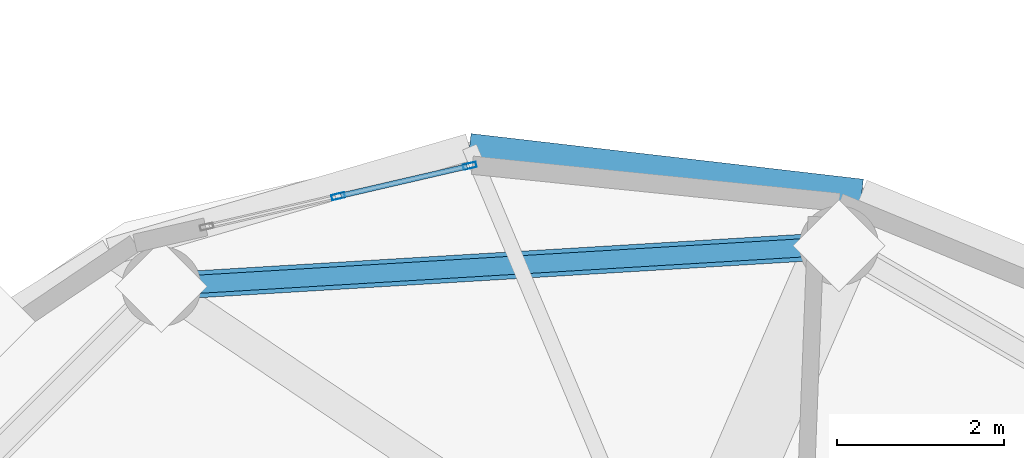
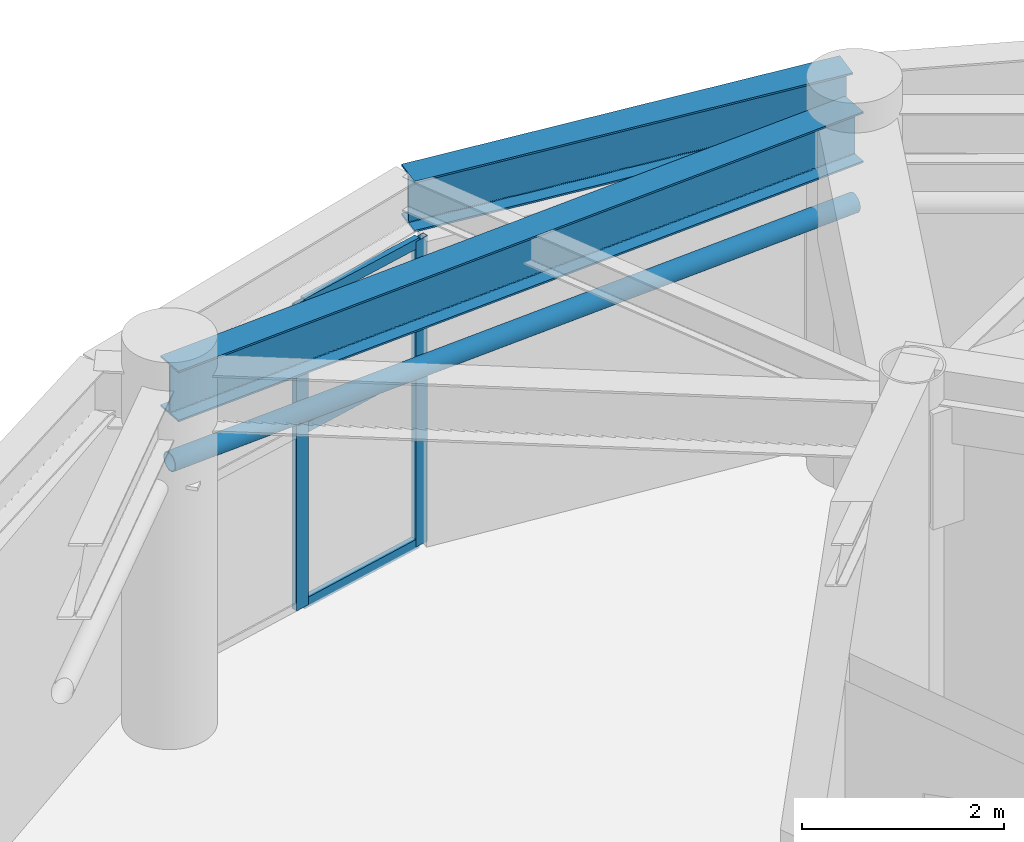
# One storey, part 17 of 28: 6 members, 2 beams, 1 element without a shape of its own.
"""IFC4 building model written with IfcOpenShell, lengths in metres."""

import ifcopenshell
import ifcopenshell.guid

model = None  # the IFC model being written
_history = None  # IfcOwnerHistory: only IFC2X3 demands one
_inside = {}  # id of a spatial element -> (the spatial element, [elements in it])
_under = {}  # id of a project, library or spatial element -> (it, [spatial elements below it])
_declared = {}  # id of a project -> (the project, [libraries it declares])
_typed = {}  # id of a type object -> (the type object, [elements of that type])
_made_of = {}  # id of a material, layer set ... -> (it, [elements and type objects made of it])


def new_model(schema):
    """Start an empty IFC model of exactly this schema.

    Asked for "IFC4X3", IfcOpenShell would pick the latest addendum, in which some entities
    have other attributes; the version numbers below select the first issue.
    IFC2X3 requires an IfcOwnerHistory on every rooted entity: one is made here for all.
    """
    global model, _history
    if schema == "IFC4X3":
        model = ifcopenshell.file(schema_version=(4, 3, 0, 0))
    else:
        model = ifcopenshell.file(schema=schema)
    _inside.clear()
    _under.clear()
    _declared.clear()
    _typed.clear()
    _made_of.clear()
    _history = None
    if model.schema == "IFC2X3":
        org = make("IfcOrganization", Name="unknown")
        user = make(
            "IfcPersonAndOrganization",
            ThePerson=make("IfcPerson", FamilyName="unknown"),
            TheOrganization=org,
        )
        app = make(
            "IfcApplication",
            ApplicationDeveloper=org,
            Version="unknown",
            ApplicationFullName="unknown",
            ApplicationIdentifier="unknown",
        )
        _history = make(
            "IfcOwnerHistory",
            OwningUser=user,
            OwningApplication=app,
            ChangeAction="ADDED",
            CreationDate=0,
        )
    return model


def make(cls, **values):
    """One entity of the class cls with the attributes given. An attribute that is None is left unset."""
    return model.create_entity(
        cls, **{name: value for name, value in values.items() if value is not None}
    )


def rooted(cls, **values):
    """An entity with a GlobalId (a new one), such as an element, a storey or a relation."""
    return make(cls, GlobalId=ifcopenshell.guid.new(), OwnerHistory=_history, **values)


def si_unit(unit_type, name, prefix=None):
    """IfcSIUnit, for example si_unit("LENGTHUNIT", "METRE", prefix="MILLI")."""
    return make("IfcSIUnit", UnitType=unit_type, Prefix=prefix, Name=name)


def assignment(units):
    """IfcUnitAssignment: the units of a project."""
    return None if units is None else make("IfcUnitAssignment", Units=units)


def point(xyz):
    """IfcCartesianPoint."""
    return None if xyz is None else make("IfcCartesianPoint", Coordinates=xyz)


def direction(xyz):
    """IfcDirection."""
    return None if xyz is None else make("IfcDirection", DirectionRatios=xyz)


def frame(location, z_axis=None, x_axis=None):
    """IfcAxis2Placement3D, a coordinate frame: its origin and axes. An axis left out is left unset."""
    return make(
        "IfcAxis2Placement3D",
        Location=point(location),
        Axis=direction(z_axis),
        RefDirection=direction(x_axis),
    )


def frame_2d(location, x_axis=None):
    """IfcAxis2Placement2D, a coordinate frame in the plane: its origin and x axis."""
    return make(
        "IfcAxis2Placement2D", Location=point(location), RefDirection=direction(x_axis)
    )


def origin():
    """The frame at (0, 0, 0) with its axes left unset."""
    return frame((0.0, 0.0, 0.0))


def origin_2d():
    """The frame at (0, 0) in the plane with its x axis left unset."""
    return frame_2d((0.0, 0.0))


def place(relative_to, where):
    """IfcLocalPlacement: puts the frame where relative to a parent placement (None: the world)."""
    return make(
        "IfcLocalPlacement", PlacementRelTo=relative_to, RelativePlacement=where
    )


def context(
    kind, dimensions, precision=None, world=None, true_north=None, identifier=None
):
    """IfcGeometricRepresentationContext, for example the 3D "Model" context."""
    return make(
        "IfcGeometricRepresentationContext",
        ContextIdentifier=identifier,
        ContextType=kind,
        CoordinateSpaceDimension=dimensions,
        Precision=precision,
        WorldCoordinateSystem=world,
        TrueNorth=true_north,
    )


def subcontext(parent, identifier, kind, view, scale=None):
    """IfcGeometricRepresentationSubContext, for example "Body" below "Model"."""
    return make(
        "IfcGeometricRepresentationSubContext",
        ContextIdentifier=identifier,
        ContextType=kind,
        ParentContext=parent,
        TargetScale=scale,
        TargetView=view,
    )


def project(units=None, contexts=None):
    """IfcProject with its units and contexts."""
    return rooted(
        "IfcProject",
        Name="project",
        RepresentationContexts=contexts,
        UnitsInContext=assignment(units),
    )


def spatial(cls, under=None, at=None, **own):
    """A site, building, storey or space (cls), placed at a placement, below another one or the project."""
    s = rooted(cls, ObjectPlacement=at, **own)
    if under is not None:
        _under.setdefault(under.id(), (under, []))[1].append(s)
    return s


def profile(cls, at=None, kind="AREA", **sizes):
    """A parametric profile (cls). Its sizes go by their IFC names, for example OverallWidth=200.0."""
    return make(cls, ProfileType=kind, Position=at, **sizes)


def hollow_rectangle(**sizes):
    """IfcRectangleHollowProfileDef."""
    return profile("IfcRectangleHollowProfileDef", **sizes)


def hollow_circle(**sizes):
    """IfcCircleHollowProfileDef."""
    return profile("IfcCircleHollowProfileDef", **sizes)


def i_section(**sizes):
    """IfcIShapeProfileDef."""
    return profile("IfcIShapeProfileDef", **sizes)


def extrude(swept, where, along, depth):
    """IfcExtrudedAreaSolid: the profile swept, set in the frame where, extruded along a direction by depth."""
    return make(
        "IfcExtrudedAreaSolid",
        SweptArea=swept,
        Position=where,
        ExtrudedDirection=direction(along),
        Depth=depth,
    )


def shape(context_of_items, identifier, shape_type, items):
    """IfcShapeRepresentation: the items that make up one representation, for example the "Body"."""
    return make(
        "IfcShapeRepresentation",
        ContextOfItems=context_of_items,
        RepresentationIdentifier=identifier,
        RepresentationType=shape_type,
        Items=items,
    )


def material(Name=None, Category=None):
    """IfcMaterial."""
    return make("IfcMaterial", Name=Name, Category=Category)


def layer(
    of_material, thickness, ventilated=None, Name=None, Category=None, Priority=None
):
    """IfcMaterialLayer: one layer of a wall or slab, of a material (None: an air gap)."""
    return make(
        "IfcMaterialLayer",
        Material=of_material,
        LayerThickness=thickness,
        IsVentilated=ventilated,
        Name=Name,
        Category=Category,
        Priority=Priority,
    )


def layer_set(layers, Name=None):
    """IfcMaterialLayerSet."""
    return make("IfcMaterialLayerSet", MaterialLayers=layers, LayerSetName=Name)


def material_profile(
    of_material, cross_section, Name=None, Category=None, Priority=None
):
    """IfcMaterialProfile: a cross section and its material."""
    return make(
        "IfcMaterialProfile",
        Name=Name,
        Material=of_material,
        Profile=cross_section,
        Priority=Priority,
        Category=Category,
    )


def profile_set(profiles, Name=None, composite=None):
    """IfcMaterialProfileSet."""
    return make(
        "IfcMaterialProfileSet",
        Name=Name,
        MaterialProfiles=profiles,
        CompositeProfile=composite,
    )


def made_of(thing, what):
    """Note that an element or type object is made of a material, layer set ...; save() writes the relation."""
    if what is not None:
        _made_of.setdefault(what.id(), (what, []))[1].append(thing)
    return thing


def type_object(cls, material=None, **own):
    """A type object (cls), such as IfcWallType, which elements share."""
    return made_of(rooted(cls, **own), material)


def element(
    cls,
    number,
    at=None,
    inside=None,
    cuts=None,
    type_object=None,
    material=None,
    context=None,
    identifier="Body",
    shape_type=None,
    held_by="IfcProductDefinitionShape",
    body=None,
    shapes=None,
    **own,
):
    """One element of the class cls, such as IfcWall. Its Tag is "e" and its number.

    at: its placement. inside: the storey or other place that contains it. cuts: it is an
    opening in that element (IfcRelVoidsElement). A single representation is given by context,
    identifier, shape_type and body (its items); several are given by shapes. held_by: the class
    of the entity that holds the representations. save() writes the other relations.
    """
    e = rooted(cls, Tag="e%d" % number, ObjectPlacement=at, **own)
    if body is not None:
        shapes = [shape(context, identifier, shape_type, body)]
    if shapes is not None:
        e.Representation = make(held_by, Representations=shapes)
    if inside is not None:
        _inside.setdefault(inside.id(), (inside, []))[1].append(e)
    if cuts is not None:
        rooted(
            "IfcRelVoidsElement", RelatingBuildingElement=cuts, RelatedOpeningElement=e
        )
    if type_object is not None:
        _typed.setdefault(type_object.id(), (type_object, []))[1].append(e)
    return made_of(e, material)


def aggregate(whole, parts):
    """IfcRelAggregates: a whole, such as a stair, and the parts it consists of."""
    return rooted("IfcRelAggregates", RelatingObject=whole, RelatedObjects=parts)


def save(model, path):
    """Write the relations noted so far, then the file.

    IfcRelAggregates (storeys below a building ...), IfcRelContainedInSpatialStructure (elements
    in a storey), IfcRelDefinesByType, IfcRelAssociatesMaterial and IfcRelDeclares: one each for
    every whole, place, type object, material and project.
    """
    for whole, parts in _under.values():
        aggregate(whole, parts)
    for where, things in _inside.values():
        rooted(
            "IfcRelContainedInSpatialStructure",
            RelatedElements=things,
            RelatingStructure=where,
        )
    for kind, things in _typed.values():
        rooted("IfcRelDefinesByType", RelatedObjects=things, RelatingType=kind)
    for what, things in _made_of.values():
        rooted("IfcRelAssociatesMaterial", RelatedObjects=things, RelatingMaterial=what)
    for by, libraries in _declared.values():
        rooted("IfcRelDeclares", RelatingContext=by, RelatedDefinitions=libraries)
    model.write(path)


model = new_model("IFC4")

# Units and contexts
model_context = context("Model", 3, precision=1e-05, world=origin(), true_north=direction((0.0, 1.0)))
body_context = subcontext(model_context, "Body", "Model", "MODEL_VIEW")
ifc_project = project(units=[si_unit("LENGTHUNIT", "METRE"), si_unit("AREAUNIT", "SQUARE_METRE"), si_unit("VOLUMEUNIT", "CUBIC_METRE"), si_unit("PLANEANGLEUNIT", "RADIAN"), si_unit("MASSUNIT", "GRAM", prefix="KILO")], contexts=[model_context])

# Site, building, storey
site_placement = place(None, origin())
site = spatial("IfcSite", under=ifc_project, at=site_placement, CompositionType="ELEMENT")
building_placement = place(site_placement, origin())
building = spatial("IfcBuilding", under=site, at=building_placement, Name="Cununo Teusaquillo Station Towers", CompositionType="ELEMENT")
storey_placement = place(building_placement, frame((0.0, 0.0, 235.64990234375)))
storey = spatial("IfcBuildingStorey", under=building, at=storey_placement, Name="L75", CompositionType="ELEMENT", Elevation=235.64990234375)

# Beams
ifc_material_1 = material(Name="Steel ASTM A572 Grade 50", Category="steel")
ifc_material_profile_1 = material_profile(ifc_material_1, i_section(OverallWidth=0.324951171875, OverallDepth=0.615966796875, WebThickness=0.013916015625, FlangeThickness=0.021484375, FilletRadius=0.01611328125, at=origin_2d()), Name="W24X117")
ifc_profile_set_1 = profile_set([ifc_material_profile_1], Name="Steel ASTM A572 Grade 50")
beam_type = type_object("IfcBeamType", Name="BM-PLNT-G2", PredefinedType="BEAM", material=ifc_profile_set_1)
beam_1_placement = place(storey_placement, frame((58.291015625, 37.63525390625, 4.031982421875), z_axis=(-0.998190567048, -0.06012979176, 0.0), x_axis=(0.06012979176, -0.998190567048, 0.0)))
element("IfcBeam", 1, at=beam_1_placement, inside=storey, type_object=beam_type, Name="L75 Tower B Structural Column Ring Girder 02", PredefinedType="BEAM", context=body_context, shape_type="SweptSolid", body=[
    extrude(i_section(OverallWidth=0.324951171875, OverallDepth=0.615966796875, WebThickness=0.013916015625, FlangeThickness=0.021484375, FilletRadius=0.01611328125, at=origin_2d()), origin(), (0.0, 0.0, 1.0), 8.132568359375),
])
beam_2_placement = place(storey_placement, frame((58.56591796875, 38.27001953125, 4.031982421875), z_axis=(-0.993313022334, 0.115452326356, 0.0), x_axis=(-0.115452326356, -0.993313022334, 0.0)))
element("IfcBeam", 2, at=beam_2_placement, inside=storey, type_object=beam_type, Name="L75 Tower B Spandrel Ring Beam 03", PredefinedType="BEAM", context=body_context, shape_type="SweptSolid", body=[
    extrude(i_section(OverallWidth=0.324951171875, OverallDepth=0.615966796875, WebThickness=0.013916015625, FlangeThickness=0.021484375, FilletRadius=0.01611328125, at=origin_2d()), origin(), (0.0, 0.0, 1.0), 4.732666015625),
])

# Curtain wall, members
ifc_material_2 = material(Name="Ceramic-fritted dark low-E double glazing", Category="glass")
ifc_layer = layer(ifc_material_2, 0.179931640625)
ifc_layer_set = layer_set([ifc_layer], Name="Ceramic-fritted dark low-E double glazing")
curtain_wall_type = type_object("IfcCurtainWallType", Name="CW-SYS-08", PredefinedType="USERDEFINED", material=ifc_layer_set)
curtain_wall_placement = place(storey_placement, origin())
curtain_wall = element("IfcCurtainWall", 3, at=curtain_wall_placement, inside=storey, type_object=curtain_wall_type, Name="L75 Tower B Crown Drum Glazed Screen C03", ObjectType="FRITTED GLAZING", PredefinedType="USERDEFINED")
ifc_material_3 = material(Name="Anodised dark bronze aluminium EN AW-6063-T6", Category="aluminium")
ifc_material_profile_2 = material_profile(ifc_material_3, hollow_rectangle(XDim=0.06494140625, YDim=0.159912109375, WallThickness=0.00390625, at=origin_2d()), Name="CW-MULL-65x160")
ifc_profile_set_2 = profile_set([ifc_material_profile_2], Name="Anodised dark bronze aluminium EN AW-6063-T6")
member_type_1 = type_object("IfcMemberType", Name="CWM-160", PredefinedType="MULLION", material=ifc_profile_set_2)
member_1_placement = place(storey_placement, frame((52.2919921875, 38.22705078125, 0.0), z_axis=(0.0, 0.0, 1.0), x_axis=(-0.225465813065, 0.974251080132, 0.0)))
member_1 = element("IfcMember", 4, at=member_1_placement, type_object=member_type_1, Name="CW-08 mullion 2", PredefinedType="MULLION", context=body_context, shape_type="SweptSolid", body=[
    extrude(hollow_rectangle(XDim=0.06494140625, YDim=0.159912109375, WallThickness=0.00390625, at=origin_2d()), origin(), (0.0, 0.0, 1.0), 3.696044921875),
])
member_2_placement = place(storey_placement, frame((53.867919921875, 38.591796875, 0.0), z_axis=(0.0, 0.0, 1.0), x_axis=(-0.225465813065, 0.974251080132, 0.0)))
member_2 = element("IfcMember", 5, at=member_2_placement, type_object=member_type_1, Name="CW-08 mullion 3", PredefinedType="MULLION", context=body_context, shape_type="SweptSolid", body=[
    extrude(hollow_rectangle(XDim=0.06494140625, YDim=0.159912109375, WallThickness=0.00390625, at=origin_2d()), origin(), (0.0, 0.0, 1.0), 3.696044921875),
])
ifc_material_4 = material(Name="Anodised dark bronze aluminium EN AW-6063-T6", Category="aluminium")
ifc_material_profile_3 = material_profile(ifc_material_4, hollow_rectangle(XDim=0.06494140625, YDim=0.1201171875, WallThickness=0.00390625, at=origin_2d()), Name="CW-TRAN-65x120")
ifc_profile_set_3 = profile_set([ifc_material_profile_3], Name="Anodised dark bronze aluminium EN AW-6063-T6")
member_type_2 = type_object("IfcMemberType", Name="CWT-120", PredefinedType="USERDEFINED", material=ifc_profile_set_3)
member_3_placement = place(storey_placement, frame((52.32373046875, 38.234375, 0.03271484375), z_axis=(0.974239897946, 0.225514126498, 0.0), x_axis=(-0.225514126498, 0.974239897946, 0.0)))
member_3 = element("IfcMember", 6, at=member_3_placement, type_object=member_type_2, Name="CW-08 transom 2.1", ObjectType="TRANSOM", PredefinedType="USERDEFINED", context=body_context, shape_type="SweptSolid", body=[
    extrude(hollow_rectangle(XDim=0.06494140625, YDim=0.1201171875, WallThickness=0.00390625, at=origin_2d()), origin(), (0.0, 0.0, 1.0), 1.552490234375),
])
member_4_placement = place(storey_placement, frame((52.32373046875, 38.234375, 2.150146484375), z_axis=(0.974239897946, 0.225514126498, 0.0), x_axis=(-0.225514126498, 0.974239897946, 0.0)))
member_4 = element("IfcMember", 7, at=member_4_placement, type_object=member_type_2, Name="CW-08 transom 2.2", ObjectType="TRANSOM", PredefinedType="USERDEFINED", context=body_context, shape_type="SweptSolid", body=[
    extrude(hollow_rectangle(XDim=0.06494140625, YDim=0.1201171875, WallThickness=0.00390625, at=origin_2d()), origin(), (0.0, 0.0, 1.0), 1.552490234375),
])
member_5_placement = place(storey_placement, frame((52.32373046875, 38.234375, 3.66357421875), z_axis=(0.974239897946, 0.225514126498, 0.0), x_axis=(-0.225514126498, 0.974239897946, 0.0)))
member_5 = element("IfcMember", 8, at=member_5_placement, type_object=member_type_2, Name="CW-08 transom 2.3", ObjectType="TRANSOM", PredefinedType="USERDEFINED", context=body_context, shape_type="SweptSolid", body=[
    extrude(hollow_rectangle(XDim=0.06494140625, YDim=0.1201171875, WallThickness=0.00390625, at=origin_2d()), origin(), (0.0, 0.0, 1.0), 1.552490234375),
])
aggregate(curtain_wall, [member_1, member_2, member_3, member_4, member_5])

# Member
ifc_material_5 = material(Name="Steel EN 10025-2 S355J2", Category="steel")
ifc_material_profile_4 = material_profile(ifc_material_5, hollow_circle(Radius=0.109619140625, WallThickness=0.010009765625, at=origin_2d()), Name="CHS 219x10")
ifc_profile_set_4 = profile_set([ifc_material_profile_4], Name="Steel EN 10025-2 S355J2")
member_type_3 = type_object("IfcMemberType", Name="MBR-DRUM-COL", PredefinedType="COLLAR", material=ifc_profile_set_4)
member_6_placement = place(storey_placement, frame((58.291015625, 37.63525390625, 3.150146484375), z_axis=(-0.998190567048, -0.06012979176, 0.0), x_axis=(0.06012979176, -0.998190567048, 0.0)))
element("IfcMember", 9, at=member_6_placement, inside=storey, type_object=member_type_3, Name="L75 Tower B Crown Drum Collar 02", PredefinedType="COLLAR", context=body_context, shape_type="SweptSolid", body=[
    extrude(hollow_circle(Radius=0.109619140625, WallThickness=0.010009765625, at=origin_2d()), origin(), (0.0, 0.0, 1.0), 8.132568359375),
])

save(model, "model.ifc")
